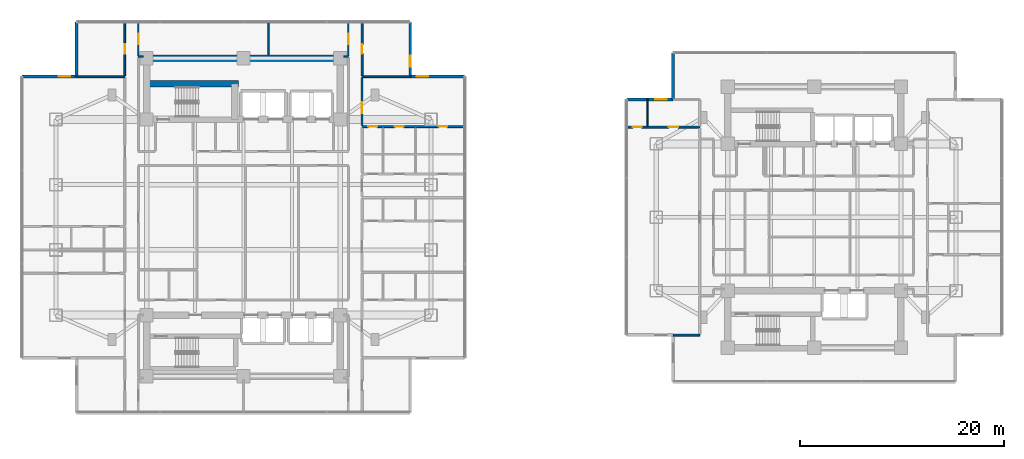
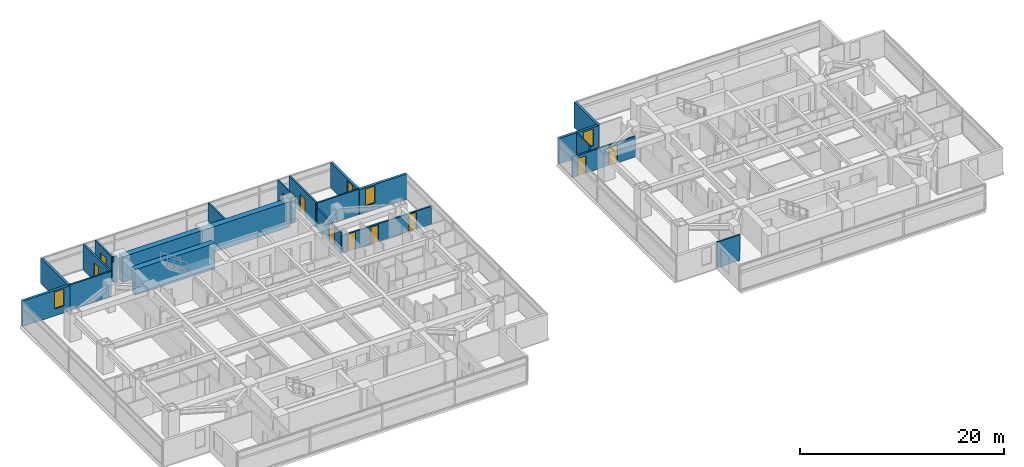
# One storey, part 16 of 24: 22 walls, 10 doors, 4 windows, 14 openings.
"""IFC4 building model written with IfcOpenShell, lengths in metres."""

from ifc_helpers import new_model, si_unit, direction, frame, frame_2d, origin, place, context, subcontext, project, spatial, rectangle, extrude, material, layer, layer_set, type_object, element, fill, save


model = new_model("IFC4")

# Units and contexts
model_context = context("Model", 3, precision=1e-05, world=origin(), true_north=direction((0.0, 1.0)))
body_context = subcontext(model_context, "Body", "Model", "MODEL_VIEW")
ifc_project = project(units=[si_unit("LENGTHUNIT", "METRE"), si_unit("AREAUNIT", "SQUARE_METRE"), si_unit("VOLUMEUNIT", "CUBIC_METRE"), si_unit("PLANEANGLEUNIT", "RADIAN"), si_unit("MASSUNIT", "GRAM", prefix="KILO")], contexts=[model_context])

# Site, building, storey
site_placement = place(None, origin())
site = spatial("IfcSite", under=ifc_project, at=site_placement, CompositionType="ELEMENT")
building_placement = place(site_placement, origin())
building = spatial("IfcBuilding", under=site, at=building_placement, Name="Mirazonda Arch Towers", CompositionType="ELEMENT")
storey_placement = place(building_placement, frame((0.0, 0.0, 65.300048828125)))
storey = spatial("IfcBuildingStorey", under=building, at=storey_placement, Name="L18", CompositionType="ELEMENT", Elevation=65.300048828125)

# Walls
ifc_material_1 = material(Name="Concrete C60/75", Category="concrete")
ifc_layer_1 = layer(ifc_material_1, 0.64990234375, Name="WALL-CORE-650")
ifc_layer_set_1 = layer_set([ifc_layer_1], Name="Concrete C60/75")
wall_type_1 = type_object("IfcWallType", Name="WALL-CORE-650", PredefinedType="SHEAR", material=ifc_layer_set_1)
wall_1_placement = place(storey_placement, frame((11.0, 43.60009765625, 0.0), z_axis=(0.0, 0.0, 1.0), x_axis=(1.0, 0.0, 0.0)))
element("IfcWall", 1, at=wall_1_placement, inside=storey, type_object=wall_type_1, Name="L18 T1N-N Core Shear Wall", PredefinedType="SHEAR", context=body_context, shape_type="SweptSolid", body=[
    extrude(rectangle(XDim=19.0, YDim=0.64990234375, at=frame_2d((9.5, 0.0))), origin(), (0.0, 0.0, 1.0), 3.06005859375),
])
wall_2_placement = place(storey_placement, frame((11.0, 41.093017578125, 0.0), z_axis=(0.0, 0.0, 1.0), x_axis=(1.0, 0.0, 0.0)))
element("IfcWall", 2, at=wall_2_placement, inside=storey, type_object=wall_type_1, Name="L18 T1N-STN Core Shear Wall", PredefinedType="SHEAR", context=body_context, shape_type="SweptSolid", body=[
    extrude(rectangle(XDim=9.0, YDim=0.64990234375, at=frame_2d((4.5, 0.0))), origin(), (0.0, 0.0, 1.0), 3.06005859375),
])

# Wall, opening, window
ifc_material_2 = material(Name="Precast Concrete C40/50", Category="concrete")
ifc_layer_2 = layer(ifc_material_2, 0.280029296875, Name="WALL-EXT-WALL-280")
ifc_layer_set_2 = layer_set([ifc_layer_2], Name="Precast Concrete C40/50")
wall_type_2 = type_object("IfcWallType", Name="WALL-EXT-WALL-280", PredefinedType="SOLIDWALL", material=ifc_layer_set_2)
wall_3_placement = place(storey_placement, frame((36.860107421875, 41.7919921875, 0.0), z_axis=(0.0, 0.0, 1.0), x_axis=(0.0, 1.0, 0.0)))
wall_3 = element("IfcWall", 3, at=wall_3_placement, inside=storey, type_object=wall_type_2, Name="L18 T1 Notched NE Corner Wall WL-L18-T1-CNE", PredefinedType="SOLIDWALL", context=body_context, shape_type="SweptSolid", body=[
    extrude(rectangle(XDim=5.340087890625, YDim=0.280029296875, at=frame_2d((2.669921875, 0.0))), origin(), (0.0, 0.0, 1.0), 3.0400390625),
])
opening_1_placement = place(wall_3_placement, frame((0.949951171875, 0.0, 0.85009765625)))
opening_1 = element("IfcOpeningElement", 4, at=opening_1_placement, cuts=wall_3, Name="Opening WN-108", PredefinedType="OPENING", context=body_context, shape_type="SweptSolid", body=[
    extrude(rectangle(XDim=1.10009765625, YDim=2.0, at=frame_2d((0.550048828125, 1.0))), frame((0.0, 0.14990234375, 0.0), z_axis=(0.0, -1.0, 0.0), x_axis=(1.0, 0.0, 0.0)), (0.0, 0.0, 1.0), 0.300048828125),
])
ifc_material_3 = material(Name="Insulated Low-E Solar Glass", Category="glass")
window_type = type_object("IfcWindowType", Name="WIN-NOTCH-1100x2000", PartitioningType="SINGLE_PANEL", PredefinedType="WINDOW", material=ifc_material_3)
window_1_placement = place(opening_1_placement, origin())
window_1 = element("IfcWindow", 5, at=window_1_placement, inside=storey, type_object=window_type, Name="L18 Punched Facade Window WN-L18-T1-CNE", OverallHeight=2.0, OverallWidth=1.10009765625, PartitioningType="SINGLE_PANEL", PredefinedType="WINDOW", context=body_context, shape_type="SweptSolid", body=[
    extrude(rectangle(XDim=1.10009765625, YDim=2.0, at=frame_2d((0.550048828125, 1.0))), frame((0.0, 0.030029296875, 0.0), z_axis=(0.0, -1.0, 0.0), x_axis=(1.0, 0.0, 0.0)), (0.0, 0.0, 1.0), 0.06005859375),
])
fill(opening_1, window_1)

wall_4_placement = place(storey_placement, frame((4.139892578125, 41.7919921875, 0.0), z_axis=(0.0, 0.0, 1.0), x_axis=(-1.0, 0.0, 0.0)))
wall_4 = element("IfcWall", 6, at=wall_4_placement, inside=storey, type_object=wall_type_2, Name="L18 T1 Corner Notch Return Wall WL-L18-T1-CNW1", PredefinedType="SOLIDWALL", context=body_context, shape_type="SweptSolid", body=[
    extrude(rectangle(XDim=5.33984375, YDim=0.280029296875, at=frame_2d((2.669921875, 0.0))), origin(), (0.0, 0.0, 1.0), 3.0400390625),
])
opening_2_placement = place(wall_4_placement, frame((0.64990234375, 0.0, 0.85009765625)))
opening_2 = element("IfcOpeningElement", 7, at=opening_2_placement, cuts=wall_4, Name="Opening WN-108", PredefinedType="OPENING", context=body_context, shape_type="SweptSolid", body=[
    extrude(rectangle(XDim=1.10009765625, YDim=2.0, at=frame_2d((0.550048828125, 1.0))), frame((0.0, 0.14990234375, 0.0), z_axis=(0.0, -1.0, 0.0), x_axis=(1.0, 0.0, 0.0)), (0.0, 0.0, 1.0), 0.300048828125),
])
window_2_placement = place(opening_2_placement, origin())
window_2 = element("IfcWindow", 8, at=window_2_placement, inside=storey, type_object=window_type, Name="L18 Punched Facade Window WN-L18-T1-CNW1", OverallHeight=2.0, OverallWidth=1.10009765625, PartitioningType="SINGLE_PANEL", PredefinedType="WINDOW", context=body_context, shape_type="SweptSolid", body=[
    extrude(rectangle(XDim=1.10009765625, YDim=2.0, at=frame_2d((0.550048828125, 1.0))), frame((0.0, 0.030029296875, 0.0), z_axis=(0.0, -1.0, 0.0), x_axis=(1.0, 0.0, 0.0)), (0.0, 0.0, 1.0), 0.06005859375),
])
fill(opening_2, window_2)

# Wall
wall_5_placement = place(storey_placement, frame((4.139892578125, 47.132080078125, 0.0), z_axis=(0.0, 0.0, 1.0), x_axis=(0.0, -1.0, 0.0)))
element("IfcWall", 9, at=wall_5_placement, inside=storey, type_object=wall_type_2, Name="L18 T1 Corner Notch Return Wall WL-L18-T1-CNW2", PredefinedType="SOLIDWALL", context=body_context, shape_type="SweptSolid", body=[
    extrude(rectangle(XDim=5.340087890625, YDim=0.280029296875, at=frame_2d((2.669921875, 0.0))), origin(), (0.0, 0.0, 1.0), 3.0400390625),
])

# Wall, opening, window
wall_6_placement = place(storey_placement, frame((42.199951171875, 41.7919921875, 0.0), z_axis=(0.0, 0.0, 1.0), x_axis=(-1.0, 0.0, 0.0)))
wall_6 = element("IfcWall", 10, at=wall_6_placement, inside=storey, type_object=wall_type_2, Name="L18 T1 Corner Notch Return Wall WL-L18-T1-CNE2", PredefinedType="SOLIDWALL", context=body_context, shape_type="SweptSolid", body=[
    extrude(rectangle(XDim=5.33984375, YDim=0.280029296875, at=frame_2d((2.669921875, 0.0))), origin(), (0.0, 0.0, 1.0), 3.0400390625),
])
opening_3_placement = place(wall_6_placement, frame((3.590087890625, 0.0, 0.85009765625)))
opening_3 = element("IfcOpeningElement", 11, at=opening_3_placement, cuts=wall_6, Name="Opening WN-108", PredefinedType="OPENING", context=body_context, shape_type="SweptSolid", body=[
    extrude(rectangle(XDim=1.10009765625, YDim=2.0, at=frame_2d((0.550048828125, 1.0))), frame((0.0, 0.14990234375, 0.0), z_axis=(0.0, -1.0, 0.0), x_axis=(1.0, 0.0, 0.0)), (0.0, 0.0, 1.0), 0.300048828125),
])
window_3_placement = place(opening_3_placement, origin())
window_3 = element("IfcWindow", 12, at=window_3_placement, inside=storey, type_object=window_type, Name="L18 Punched Facade Window WN-L18-T1-CNE2", OverallHeight=2.0, OverallWidth=1.10009765625, PartitioningType="SINGLE_PANEL", PredefinedType="WINDOW", context=body_context, shape_type="SweptSolid", body=[
    extrude(rectangle(XDim=1.10009765625, YDim=2.0, at=frame_2d((0.550048828125, 1.0))), frame((0.0, 0.030029296875, 0.0), z_axis=(0.0, -1.0, 0.0), x_axis=(1.0, 0.0, 0.0)), (0.0, 0.0, 1.0), 0.06005859375),
])
fill(opening_3, window_3)

wall_7_placement = place(storey_placement, frame((62.654052734375, 39.563232421875, 0.0), z_axis=(0.0, 0.0, 1.0), x_axis=(-1.0, 0.0, 0.0)))
wall_7 = element("IfcWall", 13, at=wall_7_placement, inside=storey, type_object=wall_type_2, Name="L18 T2 Corner Notch Return Wall WL-L18-T2-CNW1", PredefinedType="SOLIDWALL", context=body_context, shape_type="SweptSolid", body=[
    extrude(rectangle(XDim=4.546142578125, YDim=0.280029296875, at=frame_2d((2.27294921875, 0.0))), origin(), (0.0, 0.0, 1.0), 3.0400390625),
])
opening_4_placement = place(wall_7_placement, frame((0.64990234375, 0.0, 0.85009765625)))
opening_4 = element("IfcOpeningElement", 14, at=opening_4_placement, cuts=wall_7, Name="Opening WN-108", PredefinedType="OPENING", context=body_context, shape_type="SweptSolid", body=[
    extrude(rectangle(XDim=1.10009765625, YDim=2.0, at=frame_2d((0.550048828125, 1.0))), frame((0.0, 0.14990234375, 0.0), z_axis=(0.0, -1.0, 0.0), x_axis=(1.0, 0.0, 0.0)), (0.0, 0.0, 1.0), 0.300048828125),
])
window_4_placement = place(opening_4_placement, origin())
window_4 = element("IfcWindow", 15, at=window_4_placement, inside=storey, type_object=window_type, Name="L18 Punched Facade Window WN-L18-T2-CNW1", OverallHeight=2.0, OverallWidth=1.10009765625, PartitioningType="SINGLE_PANEL", PredefinedType="WINDOW", context=body_context, shape_type="SweptSolid", body=[
    extrude(rectangle(XDim=1.10009765625, YDim=2.0, at=frame_2d((0.550048828125, 1.0))), frame((0.0, 0.030029296875, 0.0), z_axis=(0.0, -1.0, 0.0), x_axis=(1.0, 0.0, 0.0)), (0.0, 0.0, 1.0), 0.06005859375),
])
fill(opening_4, window_4)

# Walls
wall_8_placement = place(storey_placement, frame((62.654052734375, 44.109130859375, 0.0), z_axis=(0.0, 0.0, 1.0), x_axis=(0.0, -1.0, 0.0)))
element("IfcWall", 16, at=wall_8_placement, inside=storey, type_object=wall_type_2, Name="L18 T2 Corner Notch Return Wall WL-L18-T2-CNW2", PredefinedType="SOLIDWALL", context=body_context, shape_type="SweptSolid", body=[
    extrude(rectangle(XDim=4.5458984375, YDim=0.280029296875, at=frame_2d((2.27294921875, 0.0))), origin(), (0.0, 0.0, 1.0), 3.0400390625),
])
ifc_material_4 = material(Name="Fire-Rated Gypsum Stud Partition")
ifc_layer_3 = layer(ifc_material_4, 0.14990234375, Name="WALL-PART-CORR-150")
ifc_layer_set_3 = layer_set([ifc_layer_3], Name="Fire-Rated Gypsum Stud Partition")
wall_type_3 = type_object("IfcWallType", Name="WALL-PART-CORR-150", PredefinedType="PARTITIONING", material=ifc_layer_set_3)
for number, where, z_axis, x_axis, name in (
    (17, (10.199951171875, 43.75, 0.0), (0.0, 0.0, 1.0), (1.0, 0.0, 0.0), "L18 Interior Partition 056"),
    (18, (30.320068359375, 43.75, 0.0), (0.0, 0.0, 1.0), (1.0, 0.0, 0.0), "L18 Interior Partition 057"),
):
    element("IfcWall", number, at=place(storey_placement, frame(where, z_axis=z_axis, x_axis=x_axis)), inside=storey, type_object=wall_type_3, Name=name, PredefinedType="PARTITIONING", context=body_context, shape_type="SweptSolid", body=[
        extrude(rectangle(XDim=0.47998046875, YDim=0.14990234375, at=frame_2d((0.239990234375, 0.0))), origin(), (0.0, 0.0, 1.0), 3.06005859375),
    ])

# Wall, opening, door
wall_9_placement = place(storey_placement, frame((10.199951171875, 43.8349609375, 0.0), z_axis=(0.0, 0.0, 1.0), x_axis=(0.0, 1.0, 0.0)))
wall_9 = element("IfcWall", 19, at=wall_9_placement, inside=storey, type_object=wall_type_3, Name="L18 Interior Partition 072", PredefinedType="PARTITIONING", context=body_context, shape_type="SweptSolid", body=[
    extrude(rectangle(XDim=3.297119140625, YDim=0.14990234375, at=frame_2d((1.6484375, 0.0))), origin(), (0.0, 0.0, 1.0), 3.06005859375),
])
opening_5_placement = place(wall_9_placement, frame((1.12353515625, 0.0, 0.0)))
opening_5 = element("IfcOpeningElement", 20, at=opening_5_placement, cuts=wall_9, Name="Opening DR-121", PredefinedType="OPENING", context=body_context, shape_type="SweptSolid", body=[
    extrude(rectangle(XDim=1.050048828125, YDim=2.199951171875, at=frame_2d((0.52490234375, 1.10009765625))), frame((0.0, 0.0849609375, 0.0), z_axis=(0.0, -1.0, 0.0), x_axis=(1.0, 0.0, 0.0)), (0.0, 0.0, 1.0), 0.169921875),
])
ifc_material_5 = material(Name="Architectural Brushed Steel S355", Category="steel")
door_type_1 = type_object("IfcDoorType", Name="DOOR-SUITE-FD60-1050", OperationType="NOTDEFINED", PredefinedType="DOOR", material=ifc_material_5)
door_1_placement = place(opening_5_placement, origin())
door_1 = element("IfcDoor", 21, at=door_1_placement, inside=storey, type_object=door_type_1, Name="L18 North Bay Sunroom West Door", OperationType="SINGLE_SWING_RIGHT", OverallHeight=2.199951171875, OverallWidth=1.050048828125, PredefinedType="DOOR", context=body_context, shape_type="SweptSolid", body=[
    extrude(rectangle(XDim=1.050048828125, YDim=2.199951171875, at=frame_2d((0.52490234375, 1.10009765625))), frame((0.0, 0.02490234375, 0.0), z_axis=(0.0, -1.0, 0.0), x_axis=(1.0, 0.0, 0.0)), (0.0, 0.0, 1.0), 0.050048828125),
])
fill(opening_5, door_1)

# Wall
wall_10_placement = place(storey_placement, frame((22.971923828125, 43.919921875, 0.0), z_axis=(0.0, 0.0, 1.0), x_axis=(0.0, 1.0, 0.0)))
element("IfcWall", 22, at=wall_10_placement, inside=storey, type_object=wall_type_3, Name="L18 Interior Partition 086", PredefinedType="PARTITIONING", context=body_context, shape_type="SweptSolid", body=[
    extrude(rectangle(XDim=3.212158203125, YDim=0.14990234375, at=frame_2d((1.60595703125, 0.0))), origin(), (0.0, 0.0, 1.0), 3.06005859375),
])

# Wall, opening, door
wall_11_placement = place(storey_placement, frame((30.800048828125, 43.8349609375, 0.0), z_axis=(0.0, 0.0, 1.0), x_axis=(0.0, 1.0, 0.0)))
wall_11 = element("IfcWall", 23, at=wall_11_placement, inside=storey, type_object=wall_type_3, Name="L18 Interior Partition 100", PredefinedType="PARTITIONING", context=body_context, shape_type="SweptSolid", body=[
    extrude(rectangle(XDim=3.297119140625, YDim=0.14990234375, at=frame_2d((1.6484375, 0.0))), origin(), (0.0, 0.0, 1.0), 3.06005859375),
])
opening_6_placement = place(wall_11_placement, frame((1.12353515625, 0.0, 0.0)))
opening_6 = element("IfcOpeningElement", 24, at=opening_6_placement, cuts=wall_11, Name="Opening DR-121", PredefinedType="OPENING", context=body_context, shape_type="SweptSolid", body=[
    extrude(rectangle(XDim=1.050048828125, YDim=2.199951171875, at=frame_2d((0.52490234375, 1.10009765625))), frame((0.0, 0.0849609375, 0.0), z_axis=(0.0, -1.0, 0.0), x_axis=(1.0, 0.0, 0.0)), (0.0, 0.0, 1.0), 0.169921875),
])
door_2_placement = place(opening_6_placement, origin())
door_2 = element("IfcDoor", 25, at=door_2_placement, inside=storey, type_object=door_type_1, Name="L18 North Bay Sunroom East Door", OperationType="SINGLE_SWING_LEFT", OverallHeight=2.199951171875, OverallWidth=1.050048828125, PredefinedType="DOOR", context=body_context, shape_type="SweptSolid", body=[
    extrude(rectangle(XDim=1.050048828125, YDim=2.199951171875, at=frame_2d((0.52490234375, 1.10009765625))), frame((0.0, 0.02490234375, 0.0), z_axis=(0.0, -1.0, 0.0), x_axis=(1.0, 0.0, 0.0)), (0.0, 0.0, 1.0), 0.050048828125),
])
fill(opening_6, door_2)

# Wall
ifc_material_6 = material(Name="Fire-Rated Gypsum Twin-Stud Assembly")
ifc_layer_4 = layer(ifc_material_6, 0.179931640625, Name="WALL-PART-DEMISE-180")
ifc_layer_set_4 = layer_set([ifc_layer_4], Name="Fire-Rated Gypsum Twin-Stud Assembly")
wall_type_4 = type_object("IfcWallType", Name="WALL-PART-DEMISE-180", PredefinedType="PARTITIONING", material=ifc_layer_set_4)
wall_12_placement = place(storey_placement, frame((62.674072265625, 16.43701171875, 0.0), z_axis=(0.0, 0.0, 1.0), x_axis=(1.0, 0.0, 0.0)))
element("IfcWall", 26, at=wall_12_placement, inside=storey, type_object=wall_type_4, Name="L18 Interior Partition 009", PredefinedType="PARTITIONING", context=body_context, shape_type="SweptSolid", body=[
    extrude(rectangle(XDim=2.575927734375, YDim=0.179931640625, at=frame_2d((1.2880859375, 0.0))), origin(), (0.0, 0.0, 1.0), 3.06005859375),
])

# Wall, openings, doors
wall_13_placement = place(storey_placement, frame((58.10791015625, 36.843017578125, 0.0), z_axis=(0.0, 0.0, 1.0), x_axis=(1.0, 0.0, 0.0)))
wall_13 = element("IfcWall", 27, at=wall_13_placement, inside=storey, type_object=wall_type_4, Name="L18 Interior Partition 045", PredefinedType="PARTITIONING", context=body_context, shape_type="SweptSolid", body=[
    extrude(rectangle(XDim=7.14208984375, YDim=0.179931640625, at=frame_2d((3.571044921875, 0.0))), origin(), (0.0, 0.0, 1.0), 2.43603515625),
])
opening_7_placement = place(wall_13_placement, frame((4.095947265625, 0.0, 0.0)))
opening_7 = element("IfcOpeningElement", 28, at=opening_7_placement, cuts=wall_13, Name="Opening DR-104", PredefinedType="OPENING", context=body_context, shape_type="SweptSolid", body=[
    extrude(rectangle(XDim=0.949951171875, YDim=2.14990234375, at=frame_2d((0.47509765625, 1.074951171875))), frame((0.0, 0.099853515625, 0.0), z_axis=(0.0, -1.0, 0.0), x_axis=(1.0, 0.0, 0.0)), (0.0, 0.0, 1.0), 0.199951171875),
])
opening_8_placement = place(wall_13_placement, frame((0.590087890625, 0.0, 0.0)))
opening_8 = element("IfcOpeningElement", 29, at=opening_8_placement, cuts=wall_13, Name="Opening DR-120", PredefinedType="OPENING", context=body_context, shape_type="SweptSolid", body=[
    extrude(rectangle(XDim=0.89990234375, YDim=2.10009765625, at=frame_2d((0.449951171875, 1.050048828125))), frame((0.0, 0.099853515625, 0.0), z_axis=(0.0, -1.0, 0.0), x_axis=(1.0, 0.0, 0.0)), (0.0, 0.0, 1.0), 0.199951171875),
])
door_type_2 = type_object("IfcDoorType", Name="DOOR-ROOM-950", OperationType="NOTDEFINED", PredefinedType="DOOR", material=ifc_material_5)
door_3_placement = place(opening_7_placement, origin())
door_3 = element("IfcDoor", 30, at=door_3_placement, inside=storey, type_object=door_type_2, Name="L18 Suite Bedroom 1 Door", OperationType="SINGLE_SWING_RIGHT", OverallHeight=2.14990234375, OverallWidth=0.949951171875, PredefinedType="DOOR", context=body_context, shape_type="SweptSolid", body=[
    extrude(rectangle(XDim=0.949951171875, YDim=2.14990234375, at=frame_2d((0.47509765625, 1.074951171875))), frame((0.0, 0.02490234375, 0.0), z_axis=(0.0, -1.0, 0.0), x_axis=(1.0, 0.0, 0.0)), (0.0, 0.0, 1.0), 0.050048828125),
])
fill(opening_7, door_3)
door_type_3 = type_object("IfcDoorType", Name="DOOR-WC-900", OperationType="NOTDEFINED", PredefinedType="DOOR", material=ifc_material_5)
door_4_placement = place(opening_8_placement, origin())
door_4 = element("IfcDoor", 31, at=door_4_placement, inside=storey, type_object=door_type_3, Name="L18 Suite En-Suite Bathroom 1 Door", OperationType="SINGLE_SWING_LEFT", OverallHeight=2.10009765625, OverallWidth=0.89990234375, PredefinedType="DOOR", context=body_context, shape_type="SweptSolid", body=[
    extrude(rectangle(XDim=0.89990234375, YDim=2.10009765625, at=frame_2d((0.449951171875, 1.050048828125))), frame((0.0, 0.02490234375, 0.0), z_axis=(0.0, -1.0, 0.0), x_axis=(1.0, 0.0, 0.0)), (0.0, 0.0, 1.0), 0.050048828125),
])
fill(opening_8, door_4)

wall_14_placement = place(storey_placement, frame((32.139892578125, 36.89111328125, 0.0), z_axis=(0.0, 0.0, 1.0), x_axis=(1.0, 0.0, 0.0)))
wall_14 = element("IfcWall", 32, at=wall_14_placement, inside=storey, type_object=wall_type_4, Name="L18 Interior Partition 046", PredefinedType="PARTITIONING", context=body_context, shape_type="SweptSolid", body=[
    extrude(rectangle(XDim=10.06005859375, YDim=0.179931640625, at=frame_2d((5.030029296875, 0.0))), origin(), (0.0, 0.0, 1.0), 2.125),
])
opening_9_placement = place(wall_14_placement, frame((7.509033203125, 0.0, 0.0)))
opening_9 = element("IfcOpeningElement", 33, at=opening_9_placement, cuts=wall_14, Name="Opening DR-128", PredefinedType="OPENING", context=body_context, shape_type="SweptSolid", body=[
    extrude(rectangle(XDim=0.85009765625, YDim=2.010009765625, at=frame_2d((0.425048828125, 1.0048828125))), frame((0.0, 0.099853515625, 0.0), z_axis=(0.0, -1.0, 0.0), x_axis=(1.0, 0.0, 0.0)), (0.0, 0.0, 1.0), 0.199951171875),
])
opening_10_placement = place(wall_14_placement, frame((3.218994140625, 0.0, 0.0)))
opening_10 = element("IfcOpeningElement", 34, at=opening_10_placement, cuts=wall_14, Name="Opening DR-128", PredefinedType="OPENING", context=body_context, shape_type="SweptSolid", body=[
    extrude(rectangle(XDim=0.85009765625, YDim=2.010009765625, at=frame_2d((0.425048828125, 1.0048828125))), frame((0.0, 0.099853515625, 0.0), z_axis=(0.0, -1.0, 0.0), x_axis=(1.0, 0.0, 0.0)), (0.0, 0.0, 1.0), 0.199951171875),
])
opening_11_placement = place(wall_14_placement, frame((0.590087890625, 0.0, 0.0)))
opening_11 = element("IfcOpeningElement", 35, at=opening_11_placement, cuts=wall_14, Name="Opening DR-120", PredefinedType="OPENING", context=body_context, shape_type="SweptSolid", body=[
    extrude(rectangle(XDim=0.89990234375, YDim=2.10009765625, at=frame_2d((0.449951171875, 1.050048828125))), frame((0.0, 0.099853515625, 0.0), z_axis=(0.0, -1.0, 0.0), x_axis=(1.0, 0.0, 0.0)), (0.0, 0.0, 1.0), 0.199951171875),
])
door_type_4 = type_object("IfcDoorType", Name="DOOR-RISER-FD60-850", OperationType="NOTDEFINED", PredefinedType="DOOR", material=ifc_material_5)
door_5_placement = place(opening_9_placement, origin())
door_5 = element("IfcDoor", 36, at=door_5_placement, inside=storey, type_object=door_type_4, Name="L18 Residence 4 Principal Bedroom Door", OperationType="SINGLE_SWING_RIGHT", OverallHeight=2.010009765625, OverallWidth=0.85009765625, PredefinedType="DOOR", context=body_context, shape_type="SweptSolid", body=[
    extrude(rectangle(XDim=0.85009765625, YDim=2.010009765625, at=frame_2d((0.425048828125, 1.0048828125))), frame((0.0, 0.02490234375, 0.0), z_axis=(0.0, -1.0, 0.0), x_axis=(1.0, 0.0, 0.0)), (0.0, 0.0, 1.0), 0.050048828125),
])
fill(opening_9, door_5)
door_6_placement = place(opening_10_placement, origin())
door_6 = element("IfcDoor", 37, at=door_6_placement, inside=storey, type_object=door_type_4, Name="L18 Residence 4 Fitted Kitchen Door", OperationType="SINGLE_SWING_LEFT", OverallHeight=2.010009765625, OverallWidth=0.85009765625, PredefinedType="DOOR", context=body_context, shape_type="SweptSolid", body=[
    extrude(rectangle(XDim=0.85009765625, YDim=2.010009765625, at=frame_2d((0.425048828125, 1.0048828125))), frame((0.0, 0.02490234375, 0.0), z_axis=(0.0, -1.0, 0.0), x_axis=(1.0, 0.0, 0.0)), (0.0, 0.0, 1.0), 0.050048828125),
])
fill(opening_10, door_6)
door_7_placement = place(opening_11_placement, origin())
door_7 = element("IfcDoor", 38, at=door_7_placement, inside=storey, type_object=door_type_3, Name="L18 Residence 4 Bathroom Door", OperationType="SINGLE_SWING_RIGHT", OverallHeight=2.10009765625, OverallWidth=0.89990234375, PredefinedType="DOOR", context=body_context, shape_type="SweptSolid", body=[
    extrude(rectangle(XDim=0.89990234375, YDim=2.10009765625, at=frame_2d((0.449951171875, 1.050048828125))), frame((0.0, 0.02490234375, 0.0), z_axis=(0.0, -1.0, 0.0), x_axis=(1.0, 0.0, 0.0)), (0.0, 0.0, 1.0), 0.050048828125),
])
fill(opening_11, door_7)

# Walls
for number, where, z_axis, x_axis, name in (
    (39, (4.159912109375, 41.7919921875, 0.0), (0.0, 0.0, 1.0), (1.0, 0.0, 0.0), "L18 Interior Partition 054"),
    (40, (32.139892578125, 41.7919921875, 0.0), (0.0, 0.0, 1.0), (1.0, 0.0, 0.0), "L18 Interior Partition 055"),
):
    element("IfcWall", number, at=place(storey_placement, frame(where, z_axis=z_axis, x_axis=x_axis)), inside=storey, type_object=wall_type_4, Name=name, PredefinedType="PARTITIONING", context=body_context, shape_type="SweptSolid", body=[
        extrude(rectangle(XDim=4.7001953125, YDim=0.179931640625, at=frame_2d((2.35009765625, 0.0))), origin(), (0.0, 0.0, 1.0), 3.06005859375),
    ])

# Wall, opening, door
wall_15_placement = place(storey_placement, frame((8.860107421875, 41.89208984375, 0.0), z_axis=(0.0, 0.0, 1.0), x_axis=(0.0, 1.0, 0.0)))
wall_15 = element("IfcWall", 41, at=wall_15_placement, inside=storey, type_object=wall_type_4, Name="L18 Interior Partition 066", PredefinedType="PARTITIONING", context=body_context, shape_type="SweptSolid", body=[
    extrude(rectangle(XDim=5.239990234375, YDim=0.179931640625, at=frame_2d((2.6201171875, 0.0))), origin(), (0.0, 0.0, 1.0), 3.06005859375),
])
opening_12_placement = place(wall_15_placement, frame((2.14501953125, 0.0, 0.0)))
opening_12 = element("IfcOpeningElement", 42, at=opening_12_placement, cuts=wall_15, Name="Opening DR-104", PredefinedType="OPENING", context=body_context, shape_type="SweptSolid", body=[
    extrude(rectangle(XDim=0.949951171875, YDim=2.14990234375, at=frame_2d((0.47509765625, 1.074951171875))), frame((0.0, 0.099853515625, 0.0), z_axis=(0.0, -1.0, 0.0), x_axis=(1.0, 0.0, 0.0)), (0.0, 0.0, 1.0), 0.199951171875),
])
door_8_placement = place(opening_12_placement, origin())
door_8 = element("IfcDoor", 43, at=door_8_placement, inside=storey, type_object=door_type_2, Name="L18 North Bay Sunroom Alcove West Door", OperationType="SINGLE_SWING_RIGHT", OverallHeight=2.14990234375, OverallWidth=0.949951171875, PredefinedType="DOOR", context=body_context, shape_type="SweptSolid", body=[
    extrude(rectangle(XDim=0.949951171875, YDim=2.14990234375, at=frame_2d((0.47509765625, 1.074951171875))), frame((0.0, 0.02490234375, 0.0), z_axis=(0.0, -1.0, 0.0), x_axis=(1.0, 0.0, 0.0)), (0.0, 0.0, 1.0), 0.050048828125),
])
fill(opening_12, door_8)

wall_16_placement = place(storey_placement, frame((32.139892578125, 36.990966796875, 0.0), z_axis=(0.0, 0.0, 1.0), x_axis=(0.0, 1.0, 0.0)))
wall_16 = element("IfcWall", 44, at=wall_16_placement, inside=storey, type_object=wall_type_4, Name="L18 Interior Partition 109", PredefinedType="PARTITIONING", context=body_context, shape_type="SweptSolid", body=[
    extrude(rectangle(XDim=4.700927734375, YDim=0.179931640625, at=frame_2d((2.3505859375, 0.0))), origin(), (0.0, 0.0, 1.0), 2.43603515625),
])
opening_13_placement = place(wall_16_placement, frame((1.2255859375, 0.0, 0.0)))
opening_13 = element("IfcOpeningElement", 45, at=opening_13_placement, cuts=wall_16, Name="Opening DR-121", PredefinedType="OPENING", context=body_context, shape_type="SweptSolid", body=[
    extrude(rectangle(XDim=1.050048828125, YDim=2.199951171875, at=frame_2d((0.52490234375, 1.10009765625))), frame((0.0, 0.099853515625, 0.0), z_axis=(0.0, -1.0, 0.0), x_axis=(1.0, 0.0, 0.0)), (0.0, 0.0, 1.0), 0.199951171875),
])
door_9_placement = place(opening_13_placement, origin())
door_9 = element("IfcDoor", 46, at=door_9_placement, inside=storey, type_object=door_type_1, Name="L18 Residence 4 Living & Dining Salon Door", OperationType="SINGLE_SWING_LEFT", OverallHeight=2.199951171875, OverallWidth=1.050048828125, PredefinedType="DOOR", context=body_context, shape_type="SweptSolid", body=[
    extrude(rectangle(XDim=1.050048828125, YDim=2.199951171875, at=frame_2d((0.52490234375, 1.10009765625))), frame((0.0, 0.02490234375, 0.0), z_axis=(0.0, -1.0, 0.0), x_axis=(1.0, 0.0, 0.0)), (0.0, 0.0, 1.0), 0.050048828125),
])
fill(opening_13, door_9)

wall_17_placement = place(storey_placement, frame((32.139892578125, 41.89208984375, 0.0), z_axis=(0.0, 0.0, 1.0), x_axis=(0.0, 1.0, 0.0)))
wall_17 = element("IfcWall", 47, at=wall_17_placement, inside=storey, type_object=wall_type_4, Name="L18 Interior Partition 110", PredefinedType="PARTITIONING", context=body_context, shape_type="SweptSolid", body=[
    extrude(rectangle(XDim=5.239990234375, YDim=0.179931640625, at=frame_2d((2.6201171875, 0.0))), origin(), (0.0, 0.0, 1.0), 3.06005859375),
])
opening_14_placement = place(wall_17_placement, frame((2.14501953125, 0.0, 0.0)))
opening_14 = element("IfcOpeningElement", 48, at=opening_14_placement, cuts=wall_17, Name="Opening DR-104", PredefinedType="OPENING", context=body_context, shape_type="SweptSolid", body=[
    extrude(rectangle(XDim=0.949951171875, YDim=2.14990234375, at=frame_2d((0.47509765625, 1.074951171875))), frame((0.0, 0.099853515625, 0.0), z_axis=(0.0, -1.0, 0.0), x_axis=(1.0, 0.0, 0.0)), (0.0, 0.0, 1.0), 0.199951171875),
])
door_10_placement = place(opening_14_placement, origin())
door_10 = element("IfcDoor", 49, at=door_10_placement, inside=storey, type_object=door_type_2, Name="L18 North Bay Sunroom Alcove East Door", OperationType="SINGLE_SWING_LEFT", OverallHeight=2.14990234375, OverallWidth=0.949951171875, PredefinedType="DOOR", context=body_context, shape_type="SweptSolid", body=[
    extrude(rectangle(XDim=0.949951171875, YDim=2.14990234375, at=frame_2d((0.47509765625, 1.074951171875))), frame((0.0, 0.02490234375, 0.0), z_axis=(0.0, -1.0, 0.0), x_axis=(1.0, 0.0, 0.0)), (0.0, 0.0, 1.0), 0.050048828125),
])
fill(opening_14, door_10)

# Wall
ifc_material_7 = material(Name="Acoustic Fire-Rated Gypsum Partition")
ifc_layer_5 = layer(ifc_material_7, 0.125, Name="WALL-PART-UNIT-125")
ifc_layer_set_5 = layer_set([ifc_layer_5], Name="Acoustic Fire-Rated Gypsum Partition")
wall_type_5 = type_object("IfcWallType", Name="WALL-PART-UNIT-125", PredefinedType="PARTITIONING", material=ifc_layer_set_5)
wall_18_placement = place(storey_placement, frame((60.14794921875, 36.943115234375, 0.0), z_axis=(0.0, 0.0, 1.0), x_axis=(0.0, 1.0, 0.0)))
element("IfcWall", 50, at=wall_18_placement, inside=storey, type_object=wall_type_5, Name="L18 Interior Partition 119", PredefinedType="PARTITIONING", context=body_context, shape_type="SweptSolid", body=[
    extrude(rectangle(XDim=2.619873046875, YDim=0.125, at=frame_2d((1.31005859375, 0.0))), origin(), (0.0, 0.0, 1.0), 3.06005859375),
])

save(model, "model.ifc")
